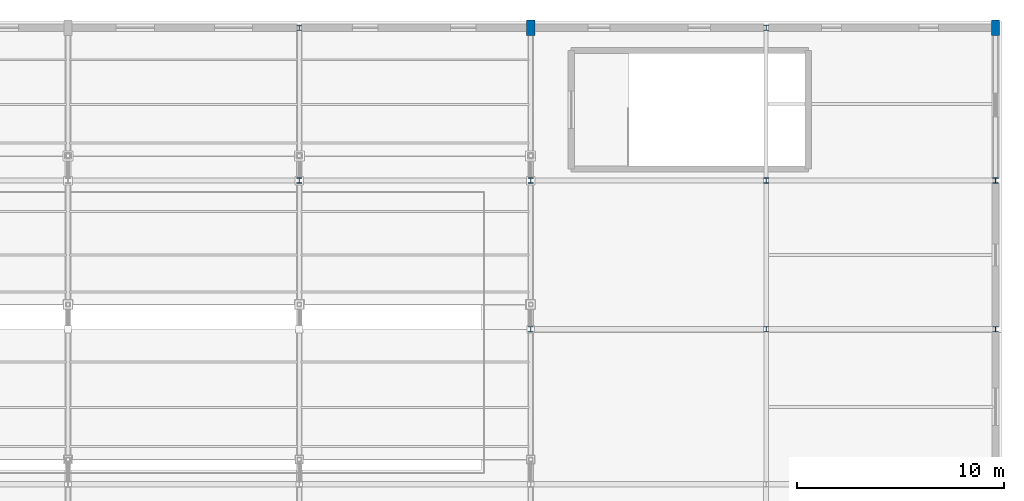
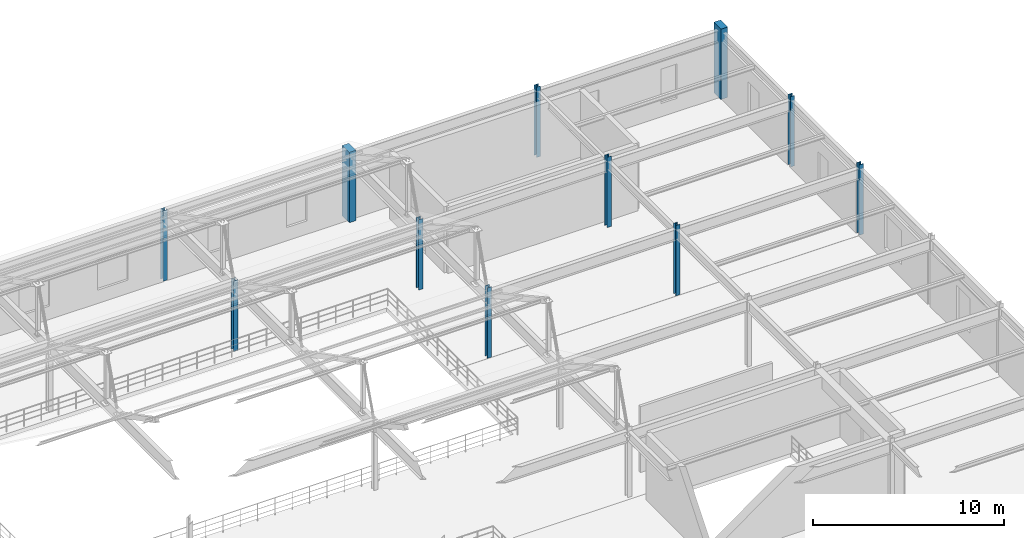
# One storey, part 22 of 112: 11 columns.
"""IFC4 building model written with IfcOpenShell, lengths in metres."""

import ifcopenshell
import ifcopenshell.guid

model = None  # the IFC model being written
_history = None  # IfcOwnerHistory: only IFC2X3 demands one
_inside = {}  # id of a spatial element -> (the spatial element, [elements in it])
_under = {}  # id of a project, library or spatial element -> (it, [spatial elements below it])
_declared = {}  # id of a project -> (the project, [libraries it declares])
_typed = {}  # id of a type object -> (the type object, [elements of that type])
_made_of = {}  # id of a material, layer set ... -> (it, [elements and type objects made of it])


def new_model(schema):
    """Start an empty IFC model of exactly this schema.

    Asked for "IFC4X3", IfcOpenShell would pick the latest addendum, in which some entities
    have other attributes; the version numbers below select the first issue.
    IFC2X3 requires an IfcOwnerHistory on every rooted entity: one is made here for all.
    """
    global model, _history
    if schema == "IFC4X3":
        model = ifcopenshell.file(schema_version=(4, 3, 0, 0))
    else:
        model = ifcopenshell.file(schema=schema)
    _inside.clear()
    _under.clear()
    _declared.clear()
    _typed.clear()
    _made_of.clear()
    _history = None
    if model.schema == "IFC2X3":
        org = make("IfcOrganization", Name="unknown")
        user = make(
            "IfcPersonAndOrganization",
            ThePerson=make("IfcPerson", FamilyName="unknown"),
            TheOrganization=org,
        )
        app = make(
            "IfcApplication",
            ApplicationDeveloper=org,
            Version="unknown",
            ApplicationFullName="unknown",
            ApplicationIdentifier="unknown",
        )
        _history = make(
            "IfcOwnerHistory",
            OwningUser=user,
            OwningApplication=app,
            ChangeAction="ADDED",
            CreationDate=0,
        )
    return model


def make(cls, **values):
    """One entity of the class cls with the attributes given. An attribute that is None is left unset."""
    return model.create_entity(
        cls, **{name: value for name, value in values.items() if value is not None}
    )


def rooted(cls, **values):
    """An entity with a GlobalId (a new one), such as an element, a storey or a relation."""
    return make(cls, GlobalId=ifcopenshell.guid.new(), OwnerHistory=_history, **values)


def si_unit(unit_type, name, prefix=None):
    """IfcSIUnit, for example si_unit("LENGTHUNIT", "METRE", prefix="MILLI")."""
    return make("IfcSIUnit", UnitType=unit_type, Prefix=prefix, Name=name)


def assignment(units):
    """IfcUnitAssignment: the units of a project."""
    return None if units is None else make("IfcUnitAssignment", Units=units)


def point(xyz):
    """IfcCartesianPoint."""
    return None if xyz is None else make("IfcCartesianPoint", Coordinates=xyz)


def direction(xyz):
    """IfcDirection."""
    return None if xyz is None else make("IfcDirection", DirectionRatios=xyz)


def frame(location, z_axis=None, x_axis=None):
    """IfcAxis2Placement3D, a coordinate frame: its origin and axes. An axis left out is left unset."""
    return make(
        "IfcAxis2Placement3D",
        Location=point(location),
        Axis=direction(z_axis),
        RefDirection=direction(x_axis),
    )


def frame_2d(location, x_axis=None):
    """IfcAxis2Placement2D, a coordinate frame in the plane: its origin and x axis."""
    return make(
        "IfcAxis2Placement2D", Location=point(location), RefDirection=direction(x_axis)
    )


def origin():
    """The frame at (0, 0, 0) with its axes left unset."""
    return frame((0.0, 0.0, 0.0))


def origin_2d():
    """The frame at (0, 0) in the plane with its x axis left unset."""
    return frame_2d((0.0, 0.0))


def place(relative_to, where):
    """IfcLocalPlacement: puts the frame where relative to a parent placement (None: the world)."""
    return make(
        "IfcLocalPlacement", PlacementRelTo=relative_to, RelativePlacement=where
    )


def context(
    kind, dimensions, precision=None, world=None, true_north=None, identifier=None
):
    """IfcGeometricRepresentationContext, for example the 3D "Model" context."""
    return make(
        "IfcGeometricRepresentationContext",
        ContextIdentifier=identifier,
        ContextType=kind,
        CoordinateSpaceDimension=dimensions,
        Precision=precision,
        WorldCoordinateSystem=world,
        TrueNorth=true_north,
    )


def subcontext(parent, identifier, kind, view, scale=None):
    """IfcGeometricRepresentationSubContext, for example "Body" below "Model"."""
    return make(
        "IfcGeometricRepresentationSubContext",
        ContextIdentifier=identifier,
        ContextType=kind,
        ParentContext=parent,
        TargetScale=scale,
        TargetView=view,
    )


def project(units=None, contexts=None):
    """IfcProject with its units and contexts."""
    return rooted(
        "IfcProject",
        Name="project",
        RepresentationContexts=contexts,
        UnitsInContext=assignment(units),
    )


def spatial(cls, under=None, at=None, **own):
    """A site, building, storey or space (cls), placed at a placement, below another one or the project."""
    s = rooted(cls, ObjectPlacement=at, **own)
    if under is not None:
        _under.setdefault(under.id(), (under, []))[1].append(s)
    return s


def profile(cls, at=None, kind="AREA", **sizes):
    """A parametric profile (cls). Its sizes go by their IFC names, for example OverallWidth=200.0."""
    return make(cls, ProfileType=kind, Position=at, **sizes)


def rectangle(**sizes):
    """IfcRectangleProfileDef."""
    return profile("IfcRectangleProfileDef", **sizes)


def i_section(**sizes):
    """IfcIShapeProfileDef."""
    return profile("IfcIShapeProfileDef", **sizes)


def extrude(swept, where, along, depth):
    """IfcExtrudedAreaSolid: the profile swept, set in the frame where, extruded along a direction by depth."""
    return make(
        "IfcExtrudedAreaSolid",
        SweptArea=swept,
        Position=where,
        ExtrudedDirection=direction(along),
        Depth=depth,
    )


def shape(context_of_items, identifier, shape_type, items):
    """IfcShapeRepresentation: the items that make up one representation, for example the "Body"."""
    return make(
        "IfcShapeRepresentation",
        ContextOfItems=context_of_items,
        RepresentationIdentifier=identifier,
        RepresentationType=shape_type,
        Items=items,
    )


def material(Name=None, Category=None):
    """IfcMaterial."""
    return make("IfcMaterial", Name=Name, Category=Category)


def material_profile(
    of_material, cross_section, Name=None, Category=None, Priority=None
):
    """IfcMaterialProfile: a cross section and its material."""
    return make(
        "IfcMaterialProfile",
        Name=Name,
        Material=of_material,
        Profile=cross_section,
        Priority=Priority,
        Category=Category,
    )


def profile_set(profiles, Name=None, composite=None):
    """IfcMaterialProfileSet."""
    return make(
        "IfcMaterialProfileSet",
        Name=Name,
        MaterialProfiles=profiles,
        CompositeProfile=composite,
    )


def made_of(thing, what):
    """Note that an element or type object is made of a material, layer set ...; save() writes the relation."""
    if what is not None:
        _made_of.setdefault(what.id(), (what, []))[1].append(thing)
    return thing


def type_object(cls, material=None, **own):
    """A type object (cls), such as IfcWallType, which elements share."""
    return made_of(rooted(cls, **own), material)


def element(
    cls,
    number,
    at=None,
    inside=None,
    cuts=None,
    type_object=None,
    material=None,
    context=None,
    identifier="Body",
    shape_type=None,
    held_by="IfcProductDefinitionShape",
    body=None,
    shapes=None,
    **own,
):
    """One element of the class cls, such as IfcWall. Its Tag is "e" and its number.

    at: its placement. inside: the storey or other place that contains it. cuts: it is an
    opening in that element (IfcRelVoidsElement). A single representation is given by context,
    identifier, shape_type and body (its items); several are given by shapes. held_by: the class
    of the entity that holds the representations. save() writes the other relations.
    """
    e = rooted(cls, Tag="e%d" % number, ObjectPlacement=at, **own)
    if body is not None:
        shapes = [shape(context, identifier, shape_type, body)]
    if shapes is not None:
        e.Representation = make(held_by, Representations=shapes)
    if inside is not None:
        _inside.setdefault(inside.id(), (inside, []))[1].append(e)
    if cuts is not None:
        rooted(
            "IfcRelVoidsElement", RelatingBuildingElement=cuts, RelatedOpeningElement=e
        )
    if type_object is not None:
        _typed.setdefault(type_object.id(), (type_object, []))[1].append(e)
    return made_of(e, material)


def aggregate(whole, parts):
    """IfcRelAggregates: a whole, such as a stair, and the parts it consists of."""
    return rooted("IfcRelAggregates", RelatingObject=whole, RelatedObjects=parts)


def save(model, path):
    """Write the relations noted so far, then the file.

    IfcRelAggregates (storeys below a building ...), IfcRelContainedInSpatialStructure (elements
    in a storey), IfcRelDefinesByType, IfcRelAssociatesMaterial and IfcRelDeclares: one each for
    every whole, place, type object, material and project.
    """
    for whole, parts in _under.values():
        aggregate(whole, parts)
    for where, things in _inside.values():
        rooted(
            "IfcRelContainedInSpatialStructure",
            RelatedElements=things,
            RelatingStructure=where,
        )
    for kind, things in _typed.values():
        rooted("IfcRelDefinesByType", RelatedObjects=things, RelatingType=kind)
    for what, things in _made_of.values():
        rooted("IfcRelAssociatesMaterial", RelatedObjects=things, RelatingMaterial=what)
    for by, libraries in _declared.values():
        rooted("IfcRelDeclares", RelatingContext=by, RelatedDefinitions=libraries)
    model.write(path)


model = new_model("IFC4")

# Units and contexts
model_context = context("Model", 3, precision=1e-05, world=origin(), true_north=direction((0.0, 1.0)))
body_context = subcontext(model_context, "Body", "Model", "MODEL_VIEW")
ifc_project = project(units=[si_unit("LENGTHUNIT", "METRE"), si_unit("AREAUNIT", "SQUARE_METRE"), si_unit("VOLUMEUNIT", "CUBIC_METRE"), si_unit("PLANEANGLEUNIT", "RADIAN"), si_unit("MASSUNIT", "GRAM", prefix="KILO")], contexts=[model_context])

# Site, building, storey
site_placement = place(None, origin())
site = spatial("IfcSite", under=ifc_project, at=site_placement, CompositionType="ELEMENT")
building_placement = place(site_placement, origin())
building = spatial("IfcBuilding", under=site, at=building_placement, Name="Cinderbank Siding Concert Hall", CompositionType="ELEMENT")
storey_placement = place(building_placement, frame((0.0, 0.0, 10.199951171875)))
storey = spatial("IfcBuildingStorey", under=building, at=storey_placement, Name="L03", CompositionType="ELEMENT", Elevation=10.199951171875)

# Columns
ifc_material_1 = material(Name="Structural steel AS/NZS 3679.1 Grade 350 (340 MPa)", Category="steel")
ifc_material_profile_1 = material_profile(ifc_material_1, i_section(OverallWidth=0.256103515625, OverallDepth=0.260009765625, WebThickness=0.010498046875, FlangeThickness=0.017333984375, at=origin_2d()), Name="250UC89.5", Category="LoadBearing")
ifc_profile_set_1 = profile_set([ifc_material_profile_1], Name="Structural steel AS/NZS 3679.1 Grade 350 (340 MPa)")
column_type_1 = type_object("IfcColumnType", Name="C-UC250H 250UC89.5", PredefinedType="COLUMN", material=ifc_profile_set_1)
for number, where, z_axis, x_axis, name in (
    (1, (139.199951171875, 110.5, 0.0), (0.0, 0.0, 1.0), (1.0, 0.0, 0.0), "L03 Column COL-V3-3-4"),
    (2, (139.199951171875, 117.89990234375, 0.0), (0.0, 0.0, 1.0), (1.0, 0.0, 0.0), "L03 Column COL-V3-3-5"),
    (3, (150.39990234375, 103.300048828125, 0.0), (0.0, 0.0, 1.0), (1.0, 0.0, 0.0), "L03 Column COL-V3-4-3"),
    (4, (150.39990234375, 110.5, 0.0), (0.0, 0.0, 1.0), (1.0, 0.0, 0.0), "L03 Column COL-V3-4-4"),
    (5, (161.800048828125, 103.300048828125, 0.0), (0.0, 0.0, 1.0), (1.0, 0.0, 0.0), "L03 Column COL-V3-5-3"),
    (6, (161.800048828125, 110.5, 0.0), (0.0, 0.0, 1.0), (1.0, 0.0, 0.0), "L03 Column COL-V3-5-4"),
    (7, (161.800048828125, 117.89990234375, 0.0), (0.0, 0.0, 1.0), (1.0, 0.0, 0.0), "L03 Column COL-V3-5-5"),
    (8, (172.89990234375, 103.300048828125, 0.0), (0.0, 0.0, 1.0), (1.0, 0.0, 0.0), "L03 Column COL-V3-6-3"),
    (9, (172.89990234375, 110.5, 0.0), (0.0, 0.0, 1.0), (1.0, 0.0, 0.0), "L03 Column COL-V3-6-4"),
):
    element("IfcColumn", number, at=place(storey_placement, frame(where, z_axis=z_axis, x_axis=x_axis)), inside=storey, type_object=column_type_1, Name=name, PredefinedType="COLUMN", context=body_context, shape_type="SweptSolid", body=[
        extrude(i_section(OverallWidth=0.256103515625, OverallDepth=0.260009765625, WebThickness=0.010498046875, FlangeThickness=0.017333984375, at=origin_2d()), origin(), (0.0, 0.0, 1.0), 4.5),
    ])
ifc_material_2 = material(Name="Reinforced concrete AS 3600 N50 (50 MPa)", Category="concrete")
ifc_material_profile_2 = material_profile(ifc_material_2, rectangle(XDim=0.39990234375, YDim=0.75, at=origin_2d()), Name="RC-PIER-400x750", Category="LoadBearing")
ifc_profile_set_2 = profile_set([ifc_material_profile_2], Name="Reinforced concrete AS 3600 N50 (50 MPa)")
column_type_2 = type_object("IfcColumnType", Name="PL-RC750 RC-PIER-400x750", PredefinedType="PILASTER", material=ifc_profile_set_2)
for number, where, z_axis, x_axis, name in (
    (10, (150.39990234375, 117.89990234375, 0.0), (0.0, 0.0, 1.0), (1.0, 0.0, 0.0), "L03 Column COL-V3-4-5"),
    (11, (172.89990234375, 117.89990234375, 0.0), (0.0, 0.0, 1.0), (1.0, 0.0, 0.0), "L03 Column COL-V3-6-5"),
):
    element("IfcColumn", number, at=place(storey_placement, frame(where, z_axis=z_axis, x_axis=x_axis)), inside=storey, type_object=column_type_2, Name=name, PredefinedType="PILASTER", context=body_context, shape_type="SweptSolid", body=[
        extrude(rectangle(XDim=0.39990234375, YDim=0.75, at=origin_2d()), origin(), (0.0, 0.0, 1.0), 4.5),
    ])

save(model, "model.ifc")
